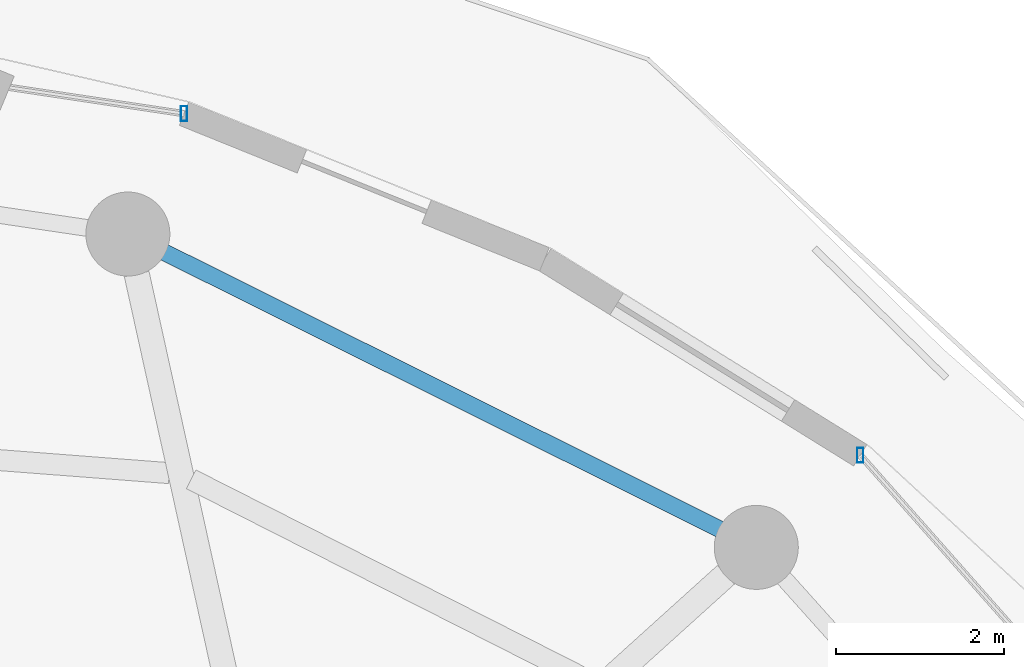
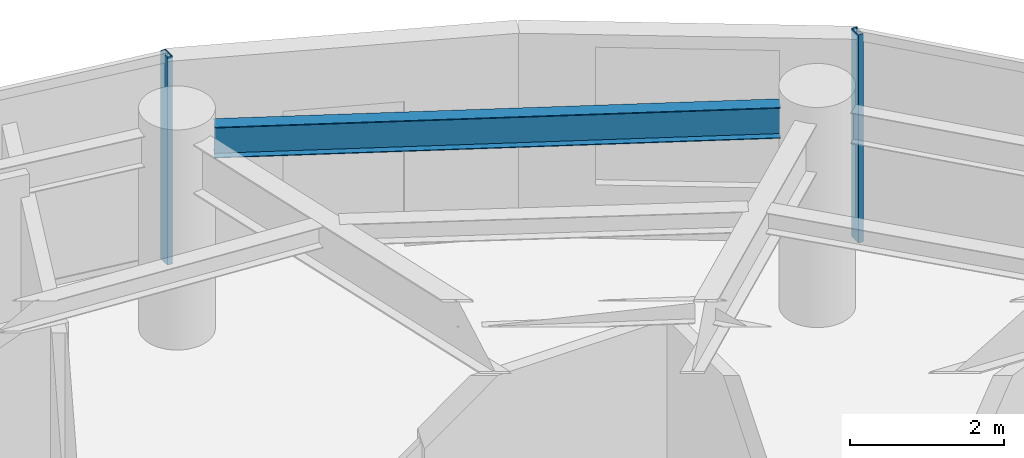
# One storey, part 18 of 28: 2 members, 1 beam, 2 elements without a shape of their own.
"""IFC4 building model written with IfcOpenShell, lengths in metres."""

from ifc_helpers import new_model, si_unit, direction, frame, origin, origin_2d, place, context, subcontext, project, spatial, hollow_rectangle, i_section, extrude, material, material_profile, profile_set, type_object, element, aggregate, save


model = new_model("IFC4")

# Units and contexts
model_context = context("Model", 3, precision=1e-05, world=origin(), true_north=direction((0.0, 1.0)))
body_context = subcontext(model_context, "Body", "Model", "MODEL_VIEW")
ifc_project = project(units=[si_unit("LENGTHUNIT", "METRE"), si_unit("AREAUNIT", "SQUARE_METRE"), si_unit("VOLUMEUNIT", "CUBIC_METRE"), si_unit("PLANEANGLEUNIT", "RADIAN"), si_unit("MASSUNIT", "GRAM", prefix="KILO")], contexts=[model_context])

# Site, building, storey
site_placement = place(None, origin())
site = spatial("IfcSite", under=ifc_project, at=site_placement, CompositionType="ELEMENT")
building_placement = place(site_placement, origin())
building = spatial("IfcBuilding", under=site, at=building_placement, Name="Vorneva Point Tower", CompositionType="ELEMENT")
storey_placement = place(building_placement, frame((0.0, 0.0, 164.10009765625)))
storey = spatial("IfcBuildingStorey", under=building, at=storey_placement, Name="L44", CompositionType="ELEMENT", Elevation=164.10009765625)

# Beam
ifc_material_1 = material(Name="Steel S355", Category="steel")
ifc_material_profile_1 = material_profile(ifc_material_1, i_section(OverallWidth=0.199951171875, OverallDepth=0.491943359375, WebThickness=0.0087890625, FlangeThickness=0.011962890625, at=origin_2d()), Name="50B1")
ifc_profile_set_1 = profile_set([ifc_material_profile_1], Name="Steel S355")
beam_type = type_object("IfcBeamType", Name="BM-SPN-50B1", PredefinedType="SPANDREL", material=ifc_profile_set_1)
beam_placement = place(storey_placement, frame((53.86474609375, 38.378662109375, 2.993896484375), z_axis=(-0.894929061397, 0.446208443518, 0.0), x_axis=(-0.446208443518, -0.894929061397, 0.0)))
element("IfcBeam", 1, at=beam_placement, inside=storey, type_object=beam_type, Name="L44 Perimeter Spandrel Ring Beam 03", PredefinedType="SPANDREL", context=body_context, shape_type="SweptSolid", body=[
    extrude(i_section(OverallWidth=0.199951171875, OverallDepth=0.491943359375, WebThickness=0.0087890625, FlangeThickness=0.011962890625, at=origin_2d()), origin(), (0.0, 0.0, 1.0), 7.385986328125),
])

# Curtain wall, member
ifc_material_2 = material(Name="Pale anodised aluminium", Category="aluminium")
curtain_wall_type = type_object("IfcCurtainWallType", Name="CW-RES-SYS", PredefinedType="NOTDEFINED", material=ifc_material_2)
curtain_wall_1_placement = place(storey_placement, origin())
curtain_wall_1 = element("IfcCurtainWall", 2, at=curtain_wall_1_placement, inside=storey, type_object=curtain_wall_type, Name="L44 Unitised Curtain Wall CW-L44-R01", PredefinedType="NOTDEFINED")
ifc_material_profile_2 = material_profile(ifc_material_2, hollow_rectangle(XDim=0.074951171875, YDim=0.179931640625, WallThickness=0.00390625, at=origin_2d()), Name="AL-MUL 180x75x4")
ifc_profile_set_2 = profile_set([ifc_material_profile_2], Name="Pale anodised aluminium")
member_type = type_object("IfcMemberType", Name="CW-MUL-180", PredefinedType="MULLION", material=ifc_profile_set_2)
member_1_placement = place(storey_placement, frame((55.5361328125, 39.25830078125, -0.0400390625), z_axis=(0.0, 0.0, 1.0), x_axis=(1.0, 0.0, 0.0)))
member_1 = element("IfcMember", 3, at=member_1_placement, type_object=member_type, Name="CW-L44-R01 Mullion 05", PredefinedType="MULLION", context=body_context, shape_type="SweptSolid", body=[
    extrude(hollow_rectangle(XDim=0.074951171875, YDim=0.179931640625, WallThickness=0.00390625, at=origin_2d()), origin(), (0.0, 0.0, 1.0), 3.31005859375),
])
aggregate(curtain_wall_1, [member_1])

curtain_wall_2_placement = place(storey_placement, origin())
curtain_wall_2 = element("IfcCurtainWall", 4, at=curtain_wall_2_placement, inside=storey, type_object=curtain_wall_type, Name="L44 Unitised Curtain Wall CW-L44-R02", PredefinedType="NOTDEFINED")
member_2_placement = place(storey_placement, frame((47.490478515625, 43.32275390625, -0.0400390625), z_axis=(0.0, 0.0, 1.0), x_axis=(1.0, 0.0, 0.0)))
member_2 = element("IfcMember", 5, at=member_2_placement, type_object=member_type, Name="CW-L44-R02 Mullion 01", PredefinedType="MULLION", context=body_context, shape_type="SweptSolid", body=[
    extrude(hollow_rectangle(XDim=0.074951171875, YDim=0.179931640625, WallThickness=0.00390625, at=origin_2d()), origin(), (0.0, 0.0, 1.0), 3.31005859375),
])
aggregate(curtain_wall_2, [member_2])

save(model, "model.ifc")
